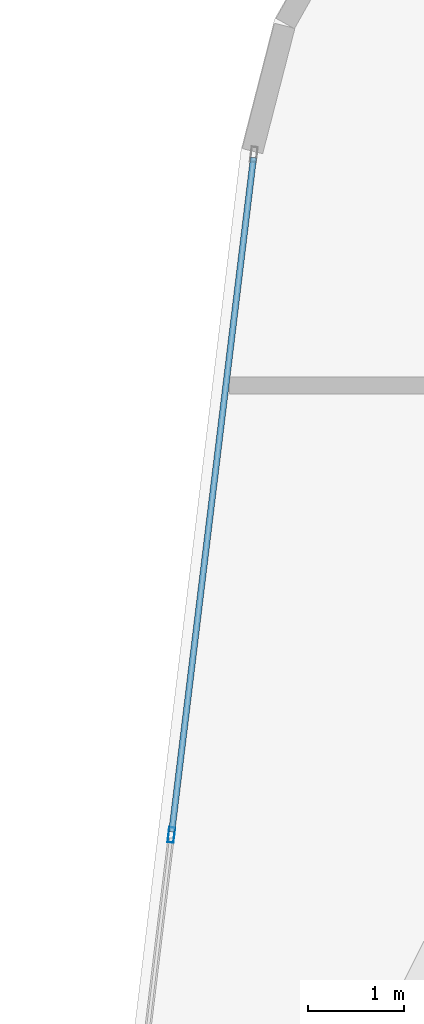
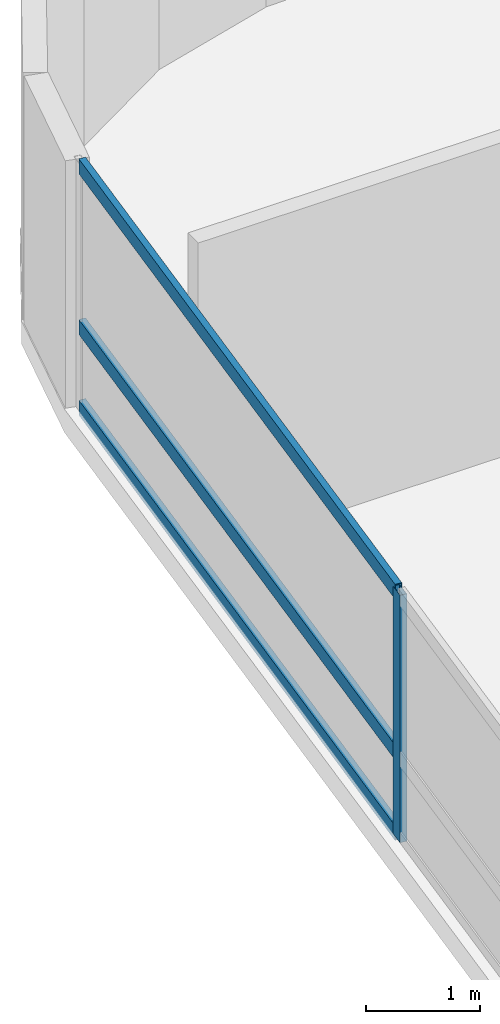
# One storey, part 10 of 26: 4 members, 1 element without a shape of its own.
"""IFC4 building model written with IfcOpenShell, lengths in metres."""

import ifcopenshell
import ifcopenshell.guid

model = None  # the IFC model being written
_history = None  # IfcOwnerHistory: only IFC2X3 demands one
_inside = {}  # id of a spatial element -> (the spatial element, [elements in it])
_under = {}  # id of a project, library or spatial element -> (it, [spatial elements below it])
_declared = {}  # id of a project -> (the project, [libraries it declares])
_typed = {}  # id of a type object -> (the type object, [elements of that type])
_made_of = {}  # id of a material, layer set ... -> (it, [elements and type objects made of it])


def new_model(schema):
    """Start an empty IFC model of exactly this schema.

    Asked for "IFC4X3", IfcOpenShell would pick the latest addendum, in which some entities
    have other attributes; the version numbers below select the first issue.
    IFC2X3 requires an IfcOwnerHistory on every rooted entity: one is made here for all.
    """
    global model, _history
    if schema == "IFC4X3":
        model = ifcopenshell.file(schema_version=(4, 3, 0, 0))
    else:
        model = ifcopenshell.file(schema=schema)
    _inside.clear()
    _under.clear()
    _declared.clear()
    _typed.clear()
    _made_of.clear()
    _history = None
    if model.schema == "IFC2X3":
        org = make("IfcOrganization", Name="unknown")
        user = make(
            "IfcPersonAndOrganization",
            ThePerson=make("IfcPerson", FamilyName="unknown"),
            TheOrganization=org,
        )
        app = make(
            "IfcApplication",
            ApplicationDeveloper=org,
            Version="unknown",
            ApplicationFullName="unknown",
            ApplicationIdentifier="unknown",
        )
        _history = make(
            "IfcOwnerHistory",
            OwningUser=user,
            OwningApplication=app,
            ChangeAction="ADDED",
            CreationDate=0,
        )
    return model


def make(cls, **values):
    """One entity of the class cls with the attributes given. An attribute that is None is left unset."""
    return model.create_entity(
        cls, **{name: value for name, value in values.items() if value is not None}
    )


def rooted(cls, **values):
    """An entity with a GlobalId (a new one), such as an element, a storey or a relation."""
    return make(cls, GlobalId=ifcopenshell.guid.new(), OwnerHistory=_history, **values)


def si_unit(unit_type, name, prefix=None):
    """IfcSIUnit, for example si_unit("LENGTHUNIT", "METRE", prefix="MILLI")."""
    return make("IfcSIUnit", UnitType=unit_type, Prefix=prefix, Name=name)


def assignment(units):
    """IfcUnitAssignment: the units of a project."""
    return None if units is None else make("IfcUnitAssignment", Units=units)


def point(xyz):
    """IfcCartesianPoint."""
    return None if xyz is None else make("IfcCartesianPoint", Coordinates=xyz)


def direction(xyz):
    """IfcDirection."""
    return None if xyz is None else make("IfcDirection", DirectionRatios=xyz)


def frame(location, z_axis=None, x_axis=None):
    """IfcAxis2Placement3D, a coordinate frame: its origin and axes. An axis left out is left unset."""
    return make(
        "IfcAxis2Placement3D",
        Location=point(location),
        Axis=direction(z_axis),
        RefDirection=direction(x_axis),
    )


def frame_2d(location, x_axis=None):
    """IfcAxis2Placement2D, a coordinate frame in the plane: its origin and x axis."""
    return make(
        "IfcAxis2Placement2D", Location=point(location), RefDirection=direction(x_axis)
    )


def origin():
    """The frame at (0, 0, 0) with its axes left unset."""
    return frame((0.0, 0.0, 0.0))


def origin_2d():
    """The frame at (0, 0) in the plane with its x axis left unset."""
    return frame_2d((0.0, 0.0))


def place(relative_to, where):
    """IfcLocalPlacement: puts the frame where relative to a parent placement (None: the world)."""
    return make(
        "IfcLocalPlacement", PlacementRelTo=relative_to, RelativePlacement=where
    )


def context(
    kind, dimensions, precision=None, world=None, true_north=None, identifier=None
):
    """IfcGeometricRepresentationContext, for example the 3D "Model" context."""
    return make(
        "IfcGeometricRepresentationContext",
        ContextIdentifier=identifier,
        ContextType=kind,
        CoordinateSpaceDimension=dimensions,
        Precision=precision,
        WorldCoordinateSystem=world,
        TrueNorth=true_north,
    )


def subcontext(parent, identifier, kind, view, scale=None):
    """IfcGeometricRepresentationSubContext, for example "Body" below "Model"."""
    return make(
        "IfcGeometricRepresentationSubContext",
        ContextIdentifier=identifier,
        ContextType=kind,
        ParentContext=parent,
        TargetScale=scale,
        TargetView=view,
    )


def project(units=None, contexts=None):
    """IfcProject with its units and contexts."""
    return rooted(
        "IfcProject",
        Name="project",
        RepresentationContexts=contexts,
        UnitsInContext=assignment(units),
    )


def spatial(cls, under=None, at=None, **own):
    """A site, building, storey or space (cls), placed at a placement, below another one or the project."""
    s = rooted(cls, ObjectPlacement=at, **own)
    if under is not None:
        _under.setdefault(under.id(), (under, []))[1].append(s)
    return s


def profile(cls, at=None, kind="AREA", **sizes):
    """A parametric profile (cls). Its sizes go by their IFC names, for example OverallWidth=200.0."""
    return make(cls, ProfileType=kind, Position=at, **sizes)


def hollow_rectangle(**sizes):
    """IfcRectangleHollowProfileDef."""
    return profile("IfcRectangleHollowProfileDef", **sizes)


def extrude(swept, where, along, depth):
    """IfcExtrudedAreaSolid: the profile swept, set in the frame where, extruded along a direction by depth."""
    return make(
        "IfcExtrudedAreaSolid",
        SweptArea=swept,
        Position=where,
        ExtrudedDirection=direction(along),
        Depth=depth,
    )


def shape(context_of_items, identifier, shape_type, items):
    """IfcShapeRepresentation: the items that make up one representation, for example the "Body"."""
    return make(
        "IfcShapeRepresentation",
        ContextOfItems=context_of_items,
        RepresentationIdentifier=identifier,
        RepresentationType=shape_type,
        Items=items,
    )


def material(Name=None, Category=None):
    """IfcMaterial."""
    return make("IfcMaterial", Name=Name, Category=Category)


def layer(
    of_material, thickness, ventilated=None, Name=None, Category=None, Priority=None
):
    """IfcMaterialLayer: one layer of a wall or slab, of a material (None: an air gap)."""
    return make(
        "IfcMaterialLayer",
        Material=of_material,
        LayerThickness=thickness,
        IsVentilated=ventilated,
        Name=Name,
        Category=Category,
        Priority=Priority,
    )


def layer_set(layers, Name=None):
    """IfcMaterialLayerSet."""
    return make("IfcMaterialLayerSet", MaterialLayers=layers, LayerSetName=Name)


def material_profile(
    of_material, cross_section, Name=None, Category=None, Priority=None
):
    """IfcMaterialProfile: a cross section and its material."""
    return make(
        "IfcMaterialProfile",
        Name=Name,
        Material=of_material,
        Profile=cross_section,
        Priority=Priority,
        Category=Category,
    )


def profile_set(profiles, Name=None, composite=None):
    """IfcMaterialProfileSet."""
    return make(
        "IfcMaterialProfileSet",
        Name=Name,
        MaterialProfiles=profiles,
        CompositeProfile=composite,
    )


def made_of(thing, what):
    """Note that an element or type object is made of a material, layer set ...; save() writes the relation."""
    if what is not None:
        _made_of.setdefault(what.id(), (what, []))[1].append(thing)
    return thing


def type_object(cls, material=None, **own):
    """A type object (cls), such as IfcWallType, which elements share."""
    return made_of(rooted(cls, **own), material)


def element(
    cls,
    number,
    at=None,
    inside=None,
    cuts=None,
    type_object=None,
    material=None,
    context=None,
    identifier="Body",
    shape_type=None,
    held_by="IfcProductDefinitionShape",
    body=None,
    shapes=None,
    **own,
):
    """One element of the class cls, such as IfcWall. Its Tag is "e" and its number.

    at: its placement. inside: the storey or other place that contains it. cuts: it is an
    opening in that element (IfcRelVoidsElement). A single representation is given by context,
    identifier, shape_type and body (its items); several are given by shapes. held_by: the class
    of the entity that holds the representations. save() writes the other relations.
    """
    e = rooted(cls, Tag="e%d" % number, ObjectPlacement=at, **own)
    if body is not None:
        shapes = [shape(context, identifier, shape_type, body)]
    if shapes is not None:
        e.Representation = make(held_by, Representations=shapes)
    if inside is not None:
        _inside.setdefault(inside.id(), (inside, []))[1].append(e)
    if cuts is not None:
        rooted(
            "IfcRelVoidsElement", RelatingBuildingElement=cuts, RelatedOpeningElement=e
        )
    if type_object is not None:
        _typed.setdefault(type_object.id(), (type_object, []))[1].append(e)
    return made_of(e, material)


def aggregate(whole, parts):
    """IfcRelAggregates: a whole, such as a stair, and the parts it consists of."""
    return rooted("IfcRelAggregates", RelatingObject=whole, RelatedObjects=parts)


def save(model, path):
    """Write the relations noted so far, then the file.

    IfcRelAggregates (storeys below a building ...), IfcRelContainedInSpatialStructure (elements
    in a storey), IfcRelDefinesByType, IfcRelAssociatesMaterial and IfcRelDeclares: one each for
    every whole, place, type object, material and project.
    """
    for whole, parts in _under.values():
        aggregate(whole, parts)
    for where, things in _inside.values():
        rooted(
            "IfcRelContainedInSpatialStructure",
            RelatedElements=things,
            RelatingStructure=where,
        )
    for kind, things in _typed.values():
        rooted("IfcRelDefinesByType", RelatedObjects=things, RelatingType=kind)
    for what, things in _made_of.values():
        rooted("IfcRelAssociatesMaterial", RelatedObjects=things, RelatingMaterial=what)
    for by, libraries in _declared.values():
        rooted("IfcRelDeclares", RelatingContext=by, RelatedDefinitions=libraries)
    model.write(path)


model = new_model("IFC4")

# Units and contexts
model_context = context("Model", 3, precision=1e-05, world=origin(), true_north=direction((0.0, 1.0)))
body_context = subcontext(model_context, "Body", "Model", "MODEL_VIEW")
ifc_project = project(units=[si_unit("LENGTHUNIT", "METRE"), si_unit("AREAUNIT", "SQUARE_METRE"), si_unit("VOLUMEUNIT", "CUBIC_METRE"), si_unit("PLANEANGLEUNIT", "RADIAN"), si_unit("MASSUNIT", "GRAM", prefix="KILO")], contexts=[model_context])

# Site, building, storey
site_placement = place(None, origin())
site = spatial("IfcSite", under=ifc_project, at=site_placement, CompositionType="ELEMENT")
building_placement = place(site_placement, origin())
building = spatial("IfcBuilding", under=site, at=building_placement, Name="Varnelok Gate Tower", CompositionType="ELEMENT")
storey_placement = place(building_placement, frame((0.0, 0.0, 158.699951171875)))
storey = spatial("IfcBuildingStorey", under=building, at=storey_placement, Name="L40", CompositionType="ELEMENT", Elevation=158.699951171875)

# Curtain wall, members
ifc_material = material(Name="Anodized Aluminum Alloy 6063-T6", Category="aluminium")
ifc_layer = layer(ifc_material, 0.179931640625)
ifc_layer_set = layer_set([ifc_layer], Name="Anodized Aluminum Alloy 6063-T6")
curtain_wall_type = type_object("IfcCurtainWallType", Name="CW3-HOTEL-VISION", PredefinedType="USERDEFINED", material=ifc_layer_set)
curtain_wall_placement = place(storey_placement, origin())
curtain_wall = element("IfcCurtainWall", 1, at=curtain_wall_placement, inside=storey, type_object=curtain_wall_type, Name="L40 West End Vision Curtain Wall", ObjectType="UNITISED CURTAIN WALL", PredefinedType="USERDEFINED")
ifc_material_profile_1 = material_profile(ifc_material, hollow_rectangle(XDim=0.06494140625, YDim=0.159912109375, WallThickness=0.00390625, at=origin_2d()), Name="ALU160X65X4")
ifc_profile_set_1 = profile_set([ifc_material_profile_1], Name="Anodized Aluminum Alloy 6063-T6")
member_type_1 = type_object("IfcMemberType", Name="CW-MULL-160", PredefinedType="MULLION", material=ifc_profile_set_1)
member_1_placement = place(storey_placement, frame((3.708984375, 40.4814453125, 0.0), z_axis=(0.0, 0.0, 1.0), x_axis=(-0.99273188146, 0.120347046212, 0.0)))
member_1 = element("IfcMember", 2, at=member_1_placement, type_object=member_type_1, Name="CW3 mullion 5", PredefinedType="MULLION", context=body_context, shape_type="SweptSolid", body=[
    extrude(hollow_rectangle(XDim=0.06494140625, YDim=0.159912109375, WallThickness=0.00390625, at=origin_2d()), origin(), (0.0, 0.0, 1.0), 2.66015625),
])
ifc_material_profile_2 = material_profile(ifc_material, hollow_rectangle(XDim=0.06494140625, YDim=0.159912109375, WallThickness=0.00390625, at=origin_2d()), Name="ALU160X65X4")
ifc_profile_set_2 = profile_set([ifc_material_profile_2], Name="Anodized Aluminum Alloy 6063-T6")
member_type_2 = type_object("IfcMemberType", Name="CW-TRAN-160", PredefinedType="USERDEFINED", material=ifc_profile_set_2)
member_2_placement = place(storey_placement, frame((3.712890625, 40.513671875, 0.032470703125), z_axis=(0.120374481497, 0.992728555147, 0.0), x_axis=(-0.992728555147, 0.120374481497, 0.0)))
member_2 = element("IfcMember", 3, at=member_2_placement, type_object=member_type_2, Name="CW3 transom 5.1", ObjectType="TRANSOM", PredefinedType="USERDEFINED", context=body_context, shape_type="SweptSolid", body=[
    extrude(hollow_rectangle(XDim=0.06494140625, YDim=0.159912109375, WallThickness=0.00390625, at=origin_2d()), origin(), (0.0, 0.0, 1.0), 7.102783203125),
])
member_3_placement = place(storey_placement, frame((3.712890625, 40.513671875, 0.900146484375), z_axis=(0.120374481497, 0.992728555147, 0.0), x_axis=(-0.992728555147, 0.120374481497, 0.0)))
member_3 = element("IfcMember", 4, at=member_3_placement, type_object=member_type_2, Name="CW3 transom 5.2", ObjectType="TRANSOM", PredefinedType="USERDEFINED", context=body_context, shape_type="SweptSolid", body=[
    extrude(hollow_rectangle(XDim=0.06494140625, YDim=0.159912109375, WallThickness=0.00390625, at=origin_2d()), origin(), (0.0, 0.0, 1.0), 7.102783203125),
])
member_4_placement = place(storey_placement, frame((3.712890625, 40.513671875, 2.62744140625), z_axis=(0.120374481497, 0.992728555147, 0.0), x_axis=(-0.992728555147, 0.120374481497, 0.0)))
member_4 = element("IfcMember", 5, at=member_4_placement, type_object=member_type_2, Name="CW3 transom 5.3", ObjectType="TRANSOM", PredefinedType="USERDEFINED", context=body_context, shape_type="SweptSolid", body=[
    extrude(hollow_rectangle(XDim=0.06494140625, YDim=0.159912109375, WallThickness=0.00390625, at=origin_2d()), origin(), (0.0, 0.0, 1.0), 7.102783203125),
])
aggregate(curtain_wall, [member_1, member_2, member_3, member_4])

save(model, "model.ifc")
